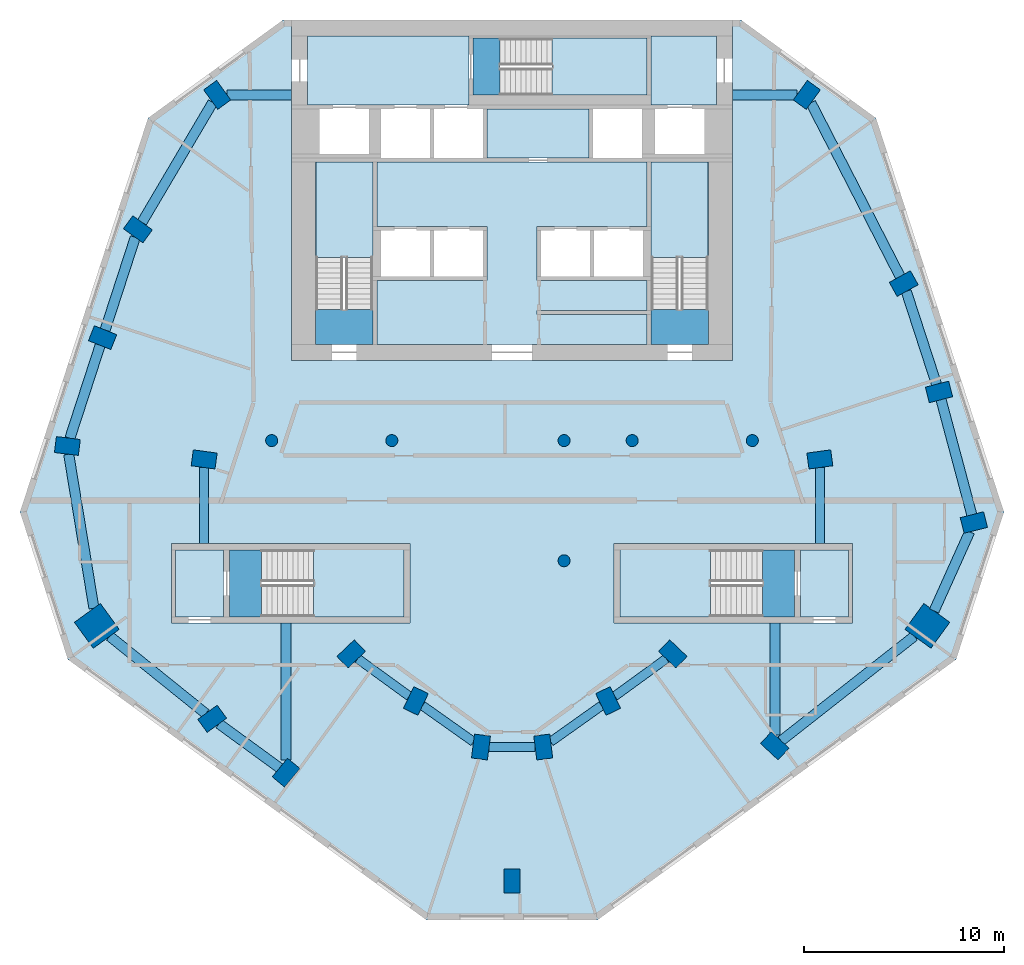
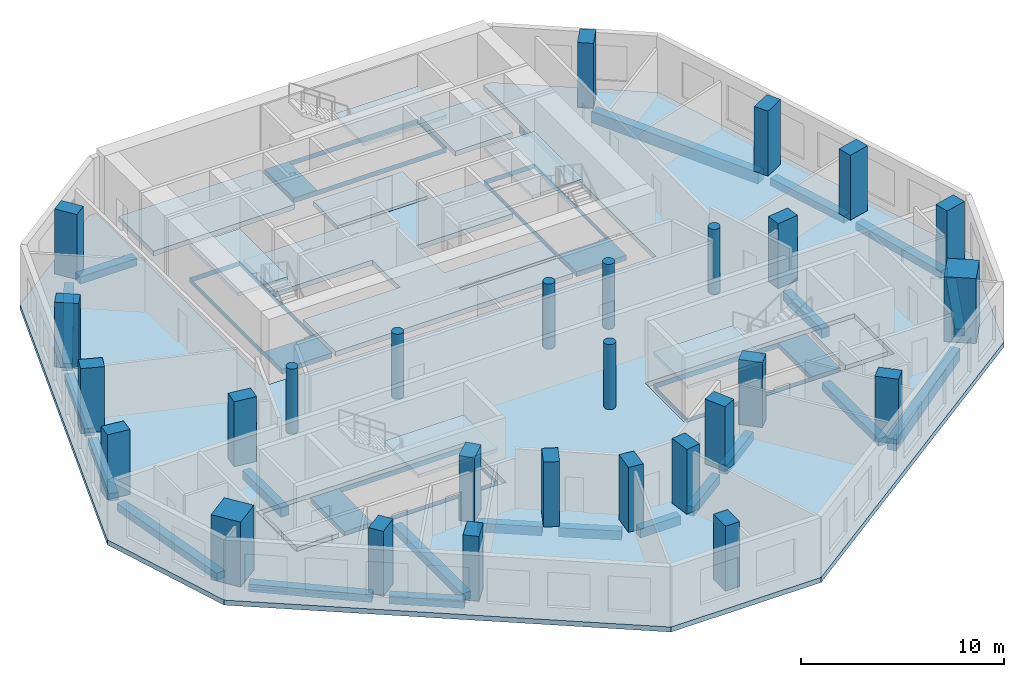
# One storey, part 1 of 9: 28 columns, 22 beams, 17 slabs, 5 elements without a shape of their own.
"""IFC4 building model written with IfcOpenShell, lengths in metres."""

from ifc_helpers import new_model, si_unit, direction, frame, origin, origin_2d, place, context, subcontext, project, spatial, polyline, rectangle, circle, outline, extrude, material, layer, layer_set, material_profile, profile_set, type_object, element, aggregate, save


model = new_model("IFC4")

# Units and contexts
model_context = context("Model", 3, precision=1e-05, world=origin(), true_north=direction((0.0, 1.0)))
body_context = subcontext(model_context, "Body", "Model", "MODEL_VIEW")
ifc_project = project(units=[si_unit("LENGTHUNIT", "METRE"), si_unit("AREAUNIT", "SQUARE_METRE"), si_unit("VOLUMEUNIT", "CUBIC_METRE"), si_unit("PLANEANGLEUNIT", "RADIAN"), si_unit("MASSUNIT", "GRAM", prefix="KILO")], contexts=[model_context])

# Site, building, storey
site_placement = place(None, origin())
site = spatial("IfcSite", under=ifc_project, at=site_placement, CompositionType="ELEMENT")
building_placement = place(site_placement, origin())
building = spatial("IfcBuilding", under=site, at=building_placement, Name="White Candle Pilgrim Tower", CompositionType="ELEMENT")
storey_placement = place(building_placement, frame((0.0, 0.0, 223.800048828125)))
storey = spatial("IfcBuildingStorey", under=building, at=storey_placement, Name="L52", CompositionType="ELEMENT", Elevation=223.800048828125)

# Columns
ifc_material_1 = material(Name="Concrete C70/85", Category="concrete")
ifc_material_profile_1 = material_profile(ifc_material_1, circle(Radius=0.300048828125, at=origin_2d()), Name="RC-COL D600")
ifc_profile_set_1 = profile_set([ifc_material_profile_1], Name="Concrete C70/85")
column_type_1 = type_object("IfcColumnType", Name="Interior column RC-COL D600 C70/85", PredefinedType="COLUMN", material=ifc_profile_set_1)
for number, where, z_axis, x_axis, name in (
    (1, (58.0, 67.0, 0.0), (0.0, 0.0, 1.0), (1.0, 0.0, 0.0), "L52 column I01"),
    (2, (64.0, 67.0, 0.0), (0.0, 0.0, 1.0), (1.0, 0.0, 0.0), "L52 column I02"),
    (3, (72.60009765625, 61.0, 0.0), (0.0, 0.0, 1.0), (1.0, 0.0, 0.0), "L52 column I03"),
    (4, (72.60009765625, 67.0, 0.0), (0.0, 0.0, 1.0), (1.0, 0.0, 0.0), "L52 column I04"),
    (5, (76.0, 67.0, 0.0), (0.0, 0.0, 1.0), (1.0, 0.0, 0.0), "L52 column I05"),
    (6, (82.0, 67.0, 0.0), (0.0, 0.0, 1.0), (1.0, 0.0, 0.0), "L52 column I06"),
):
    element("IfcColumn", number, at=place(storey_placement, frame(where, z_axis=z_axis, x_axis=x_axis)), inside=storey, type_object=column_type_1, Name=name, PredefinedType="COLUMN", context=body_context, shape_type="SweptSolid", body=[
        extrude(circle(Radius=0.300048828125, at=origin_2d()), origin(), (0.0, 0.0, 1.0), 3.89990234375),
    ])
ifc_material_profile_2 = material_profile(ifc_material_1, rectangle(XDim=1.60009765625, YDim=1.60009765625, at=origin_2d()), Name="RC 1600x1600")
ifc_profile_set_2 = profile_set([ifc_material_profile_2], Name="Concrete C70/85")
column_type_2 = type_object("IfcColumnType", Name="Mega column RC 1600x1600 C70/85", PredefinedType="COLUMN", material=ifc_profile_set_2)
for number, where, z_axis, x_axis, name in (
    (7, (49.27001953125, 57.75, 0.0), (0.0, 0.0, 1.0), (-0.809016994375, -0.587785252292, 0.0), "L52 mega column T01"),
    (8, (90.739990234375, 57.75, 0.0), (0.0, 0.0, 1.0), (0.809016994375, -0.587785252292, 0.0), "L52 mega column T06"),
):
    element("IfcColumn", number, at=place(storey_placement, frame(where, z_axis=z_axis, x_axis=x_axis)), inside=storey, type_object=column_type_2, Name=name, PredefinedType="COLUMN", context=body_context, shape_type="SweptSolid", body=[
        extrude(rectangle(XDim=1.60009765625, YDim=1.60009765625, at=origin_2d()), origin(), (0.0, 0.0, 1.0), 3.89990234375),
    ])
ifc_material_profile_3 = material_profile(ifc_material_1, rectangle(XDim=0.800048828125, YDim=1.199951171875, at=origin_2d()), Name="RC-PR 800x1200")
ifc_profile_set_3 = profile_set([ifc_material_profile_3], Name="Concrete C70/85")
column_type_3 = type_object("IfcColumnType", Name="Perimeter column RC-PR 800x1200 C70/85", PredefinedType="COLUMN", material=ifc_profile_set_3)
for number, where, z_axis, x_axis, name in (
    (9, (55.030029296875, 53.110107421875, 0.0), (0.0, 0.0, 1.0), (-0.58846280644, 0.808524288711, 0.0), "L52 column T02"),
    (10, (58.719970703125, 50.419921875, 0.0), (0.0, 0.0, 1.0), (-0.769310358735, 0.638875239733, 0.0), "L52 column T03"),
    (11, (70.0, 45.0, 0.0), (0.0, 0.0, 1.0), (-1.0, 0.0, 0.0), "L52 column T04"),
    (12, (83.1201171875, 51.760009765625, 0.0), (0.0, 0.0, 1.0), (-0.681998360062, -0.731353701619, 0.0), "L52 column T05"),
    (13, (93.06005859375, 62.909912109375, 0.0), (0.0, 0.0, 1.0), (0.246880623275, -0.969045900797, 0.0), "L52 column T07"),
    (14, (91.320068359375, 69.429931640625, 0.0), (0.0, 0.0, 1.0), (0.246880623275, -0.969045900797, 0.0), "L52 column T08"),
    (15, (89.56005859375, 74.840087890625, 0.0), (0.0, 0.0, 1.0), (0.484809620246, -0.874619707139, 0.0), "L52 column T09"),
    (16, (84.719970703125, 84.260009765625, 0.0), (0.0, 0.0, 1.0), (0.80902725304, -0.587771132193, 0.0), "L52 column T10"),
    (17, (55.280029296875, 84.260009765625, 0.0), (0.0, 0.0, 1.0), (0.80902725304, 0.587771132193, 0.0), "L52 column T11"),
    (18, (51.320068359375, 77.550048828125, 0.0), (0.0, 0.0, 1.0), (0.587107285614, 0.809509132239, 0.0), "L52 column T12"),
    (19, (49.56005859375, 72.139892578125, 0.0), (0.0, 0.0, 1.0), (0.369860269472, 0.929087391512, 0.0), "L52 column T13"),
    (20, (47.800048828125, 66.72998046875, 0.0), (0.0, 0.0, 1.0), (0.121869343405, 0.992546151641, 0.0), "L52 column T14"),
):
    element("IfcColumn", number, at=place(storey_placement, frame(where, z_axis=z_axis, x_axis=x_axis)), inside=storey, type_object=column_type_3, Name=name, PredefinedType="COLUMN", context=body_context, shape_type="SweptSolid", body=[
        extrude(rectangle(XDim=0.800048828125, YDim=1.199951171875, at=origin_2d()), origin(), (0.0, 0.0, 1.0), 3.89990234375),
    ])
ifc_material_profile_4 = material_profile(ifc_material_1, rectangle(XDim=0.800048828125, YDim=1.199951171875, at=origin_2d()), Name="RC-PR 800x1200")
ifc_profile_set_4 = profile_set([ifc_material_profile_4], Name="Concrete C70/85")
column_type_4 = type_object("IfcColumnType", Name="Ring column RC-PR 800x1200 C70/85", PredefinedType="COLUMN", material=ifc_profile_set_4)
for number, where, z_axis, x_axis, name in (
    (21, (61.969970703125, 56.35009765625, 0.0), (0.0, 0.0, 1.0), (-0.689872285383, 0.723931094691, 0.0), "L52 column R01"),
    (22, (65.199951171875, 54.0, 0.0), (0.0, 0.0, 1.0), (-0.901689191761, 0.43238478403, 0.0), "L52 column R02"),
    (23, (68.449951171875, 51.699951171875, 0.0), (0.0, 0.0, 1.0), (-0.992092811428, 0.125506388335, 0.0), "L52 column R03"),
    (24, (71.56005859375, 51.699951171875, 0.0), (0.0, 0.0, 1.0), (-0.992092811428, -0.125506388335, 0.0), "L52 column R04"),
    (25, (74.800048828125, 54.0, 0.0), (0.0, 0.0, 1.0), (-0.901689191761, -0.43238478403, 0.0), "L52 column R05"),
    (26, (78.030029296875, 56.35009765625, 0.0), (0.0, 0.0, 1.0), (-0.689872285383, -0.723931094691, 0.0), "L52 column R06"),
    (27, (85.3701171875, 66.06005859375, 0.0), (0.0, 0.0, 1.0), (0.132602381688, -0.991169313675, 0.0), "L52 column R07"),
    (28, (54.6298828125, 66.06005859375, 0.0), (0.0, 0.0, 1.0), (0.132602381688, 0.991169313675, 0.0), "L52 column R08"),
):
    element("IfcColumn", number, at=place(storey_placement, frame(where, z_axis=z_axis, x_axis=x_axis)), inside=storey, type_object=column_type_4, Name=name, PredefinedType="COLUMN", context=body_context, shape_type="SweptSolid", body=[
        extrude(rectangle(XDim=0.800048828125, YDim=1.199951171875, at=origin_2d()), origin(), (0.0, 0.0, 1.0), 3.89990234375),
    ])

# Beams
ifc_material_2 = material(Name="Concrete C50/60", Category="concrete")
ifc_material_profile_5 = material_profile(ifc_material_2, rectangle(XDim=0.449951171875, YDim=0.550048828125, at=origin_2d()), Name="RC-BM 450x550")
ifc_profile_set_5 = profile_set([ifc_material_profile_5], Name="Concrete C50/60")
beam_type_1 = type_object("IfcBeamType", Name="Ring beam RC-BM 450x550 C50/60", PredefinedType="BEAM", material=ifc_profile_set_5)
beam_1_placement = place(storey_placement, frame((62.298828125, 56.11083984375, -0.574951171875), z_axis=(0.808609951168, -0.588345091653, 0.0), x_axis=(0.588345091653, 0.808609951168, 0.0)))
element("IfcBeam", 29, at=beam_1_placement, inside=storey, type_object=beam_type_1, Name="L52 ring beam R01", PredefinedType="BEAM", context=body_context, shape_type="SweptSolid", body=[
    extrude(rectangle(XDim=0.449951171875, YDim=0.550048828125, at=origin_2d()), origin(), (0.0, 0.0, 1.0), 3.18115234375),
])
beam_2_placement = place(storey_placement, frame((65.53125, 53.765625, -0.574951171875), z_axis=(0.816256463166, -0.577689697277, 0.0), x_axis=(0.577689697277, 0.816256463166, 0.0)))
element("IfcBeam", 30, at=beam_2_placement, inside=storey, type_object=beam_type_1, Name="L52 ring beam R02", PredefinedType="BEAM", context=body_context, shape_type="SweptSolid", body=[
    extrude(rectangle(XDim=0.449951171875, YDim=0.550048828125, at=origin_2d()), origin(), (0.0, 0.0, 1.0), 3.122314453125),
])
beam_3_placement = place(storey_placement, frame((68.853271484375, 51.699951171875, -0.574951171875), z_axis=(1.0, 0.0, 0.0), x_axis=(0.0, 1.0, 0.0)))
element("IfcBeam", 31, at=beam_3_placement, inside=storey, type_object=beam_type_1, Name="L52 ring beam R03", PredefinedType="BEAM", context=body_context, shape_type="SweptSolid", body=[
    extrude(rectangle(XDim=0.449951171875, YDim=0.550048828125, at=origin_2d()), origin(), (0.0, 0.0, 1.0), 2.303466796875),
])
beam_4_placement = place(storey_placement, frame((71.929931640625, 51.962646484375, -0.574951171875), z_axis=(0.815419993855, 0.578869789868, 0.0), x_axis=(-0.578869789868, 0.815419993855, 0.0)))
element("IfcBeam", 32, at=beam_4_placement, inside=storey, type_object=beam_type_1, Name="L52 ring beam R04", PredefinedType="BEAM", context=body_context, shape_type="SweptSolid", body=[
    extrude(rectangle(XDim=0.449951171875, YDim=0.550048828125, at=origin_2d()), origin(), (0.0, 0.0, 1.0), 3.11376953125),
])
beam_5_placement = place(storey_placement, frame((75.12890625, 54.2392578125, -0.574951171875), z_axis=(0.808609951168, 0.588345091653, 0.0), x_axis=(-0.588345091653, 0.808609951168, 0.0)))
element("IfcBeam", 33, at=beam_5_placement, inside=storey, type_object=beam_type_1, Name="L52 ring beam R05", PredefinedType="BEAM", context=body_context, shape_type="SweptSolid", body=[
    extrude(rectangle(XDim=0.449951171875, YDim=0.550048828125, at=origin_2d()), origin(), (0.0, 0.0, 1.0), 3.18115234375),
])
for number, where, z_axis, x_axis, name in (
    (34, (85.3701171875, 65.656494140625, -0.574951171875), (0.0, -1.0, 0.0), (1.0, 0.0, 0.0), "L52 ring beam R06"),
    (35, (54.6298828125, 65.656494140625, -0.574951171875), (0.0, -1.0, 0.0), (1.0, 0.0, 0.0), "L52 ring beam R07"),
):
    element("IfcBeam", number, at=place(storey_placement, frame(where, z_axis=z_axis, x_axis=x_axis)), inside=storey, type_object=beam_type_1, Name=name, PredefinedType="BEAM", context=body_context, shape_type="SweptSolid", body=[
        extrude(rectangle(XDim=0.449951171875, YDim=0.550048828125, at=origin_2d()), origin(), (0.0, 0.0, 1.0), 3.806396484375),
    ])
ifc_material_profile_6 = material_profile(ifc_material_2, rectangle(XDim=0.5, YDim=0.449951171875, at=origin_2d()), Name="RC-BM 500x450")
ifc_profile_set_6 = profile_set([ifc_material_profile_6], Name="Concrete C50/60")
beam_type_2 = type_object("IfcBeamType", Name="Spandrel beam RC-BM 500x450 C50/60", PredefinedType="BEAM", material=ifc_profile_set_6)
beam_6_placement = place(storey_placement, frame((49.915283203125, 57.22998046875, -0.525146484375), z_axis=(0.778778136726, -0.62729946099, 0.0), x_axis=(0.62729946099, 0.778778136726, 0.0)))
element("IfcBeam", 36, at=beam_6_placement, inside=storey, type_object=beam_type_2, Name="L52 spandrel beam T01", PredefinedType="BEAM", context=body_context, shape_type="SweptSolid", body=[
    extrude(rectangle(XDim=0.5, YDim=0.449951171875, at=origin_2d()), origin(), (0.0, 0.0, 1.0), 6.153564453125),
])
beam_7_placement = place(storey_placement, frame((55.36962890625, 52.8623046875, -0.525146484375), z_axis=(0.808061834145, -0.58909767628, 0.0), x_axis=(0.58909767628, 0.808061834145, 0.0)))
element("IfcBeam", 37, at=beam_7_placement, inside=storey, type_object=beam_type_2, Name="L52 spandrel beam T02", PredefinedType="BEAM", context=body_context, shape_type="SweptSolid", body=[
    extrude(rectangle(XDim=0.5, YDim=0.449951171875, at=origin_2d()), origin(), (0.0, 0.0, 1.0), 3.7451171875),
])
beam_8_placement = place(storey_placement, frame((58.719970703125, 51.046142578125, -0.525146484375), z_axis=(0.0, 1.0, 0.0), x_axis=(-1.0, 0.0, 0.0)))
element("IfcBeam", 38, at=beam_8_placement, inside=storey, type_object=beam_type_2, Name="L52 spandrel beam T03", PredefinedType="BEAM", context=body_context, shape_type="SweptSolid", body=[
    extrude(rectangle(XDim=0.5, YDim=0.449951171875, at=origin_2d()), origin(), (0.0, 0.0, 1.0), 6.853759765625),
])
beam_9_placement = place(storey_placement, frame((83.1201171875, 52.306884765625, -0.525146484375), z_axis=(0.0, 1.0, 0.0), x_axis=(-1.0, 0.0, 0.0)))
element("IfcBeam", 39, at=beam_9_placement, inside=storey, type_object=beam_type_2, Name="L52 spandrel beam T04", PredefinedType="BEAM", context=body_context, shape_type="SweptSolid", body=[
    extrude(rectangle(XDim=0.5, YDim=0.449951171875, at=origin_2d()), origin(), (0.0, 0.0, 1.0), 5.593017578125),
])
beam_10_placement = place(storey_placement, frame((91.0751953125, 58.495361328125, -0.525146484375), z_axis=(0.410043403319, 0.912066010437, 0.0), x_axis=(-0.912066010437, 0.410043403319, 0.0)))
element("IfcBeam", 40, at=beam_10_placement, inside=storey, type_object=beam_type_2, Name="L52 spandrel beam T06", PredefinedType="BEAM", context=body_context, shape_type="SweptSolid", body=[
    extrude(rectangle(XDim=0.5, YDim=0.449951171875, at=origin_2d()), origin(), (0.0, 0.0, 1.0), 4.3291015625),
])
beam_11_placement = place(storey_placement, frame((92.956787109375, 63.29638671875, -0.525146484375), z_axis=(-0.257841470678, 0.966187236512, 0.0), x_axis=(-0.966187236512, -0.257841470678, 0.0)))
element("IfcBeam", 41, at=beam_11_placement, inside=storey, type_object=beam_type_2, Name="L52 spandrel beam T07", PredefinedType="BEAM", context=body_context, shape_type="SweptSolid", body=[
    extrude(rectangle(XDim=0.5, YDim=0.449951171875, at=origin_2d()), origin(), (0.0, 0.0, 1.0), 5.9482421875),
])
beam_12_placement = place(storey_placement, frame((91.196044921875, 69.811279296875, -0.525146484375), z_axis=(-0.309391453236, 0.950934765725, 0.0), x_axis=(-0.950934765725, -0.309391453236, 0.0)))
element("IfcBeam", 42, at=beam_12_placement, inside=storey, type_object=beam_type_2, Name="L52 spandrel beam T08", PredefinedType="BEAM", context=body_context, shape_type="SweptSolid", body=[
    extrude(rectangle(XDim=0.5, YDim=0.449951171875, at=origin_2d()), origin(), (0.0, 0.0, 1.0), 4.880615234375),
])
for number, where, z_axis, x_axis, name in (
    (43, (84.2255859375, 84.260009765625, -0.525146484375), (-1.0, 0.0, 0.0), (0.0, -1.0, 0.0), "L52 spandrel beam T10"),
    (44, (55.7744140625, 84.260009765625, -0.525146484375), (1.0, 0.0, 0.0), (0.0, 1.0, 0.0), "L52 spandrel beam T11"),
):
    element("IfcBeam", number, at=place(storey_placement, frame(where, z_axis=z_axis, x_axis=x_axis)), inside=storey, type_object=beam_type_2, Name=name, PredefinedType="BEAM", context=body_context, shape_type="SweptSolid", body=[
        extrude(rectangle(XDim=0.5, YDim=0.449951171875, at=origin_2d()), origin(), (0.0, 0.0, 1.0), 3.2255859375),
    ])
beam_13_placement = place(storey_placement, frame((55.058349609375, 83.884521484375, -0.525146484375), z_axis=(-0.508250169427, -0.861209478163, 0.0), x_axis=(0.861209478163, -0.508250169427, 0.0)))
element("IfcBeam", 45, at=beam_13_placement, inside=storey, type_object=beam_type_2, Name="L52 spandrel beam T12", PredefinedType="BEAM", context=body_context, shape_type="SweptSolid", body=[
    extrude(rectangle(XDim=0.5, YDim=0.449951171875, at=origin_2d()), origin(), (0.0, 0.0, 1.0), 6.95361328125),
])
beam_14_placement = place(storey_placement, frame((51.18994140625, 77.150146484375, -0.525146484375), z_axis=(-0.30935824251, -0.950945570362, 0.0), x_axis=(0.950945570362, -0.30935824251, 0.0)))
element("IfcBeam", 46, at=beam_14_placement, inside=storey, type_object=beam_type_2, Name="L52 spandrel beam T13", PredefinedType="BEAM", context=body_context, shape_type="SweptSolid", body=[
    extrude(rectangle(XDim=0.5, YDim=0.449951171875, at=origin_2d()), origin(), (0.0, 0.0, 1.0), 4.86767578125),
])
beam_15_placement = place(storey_placement, frame((49.43603515625, 71.7587890625, -0.525146484375), z_axis=(-0.309376736615, -0.950939553726, 0.0), x_axis=(0.950939553726, -0.309376736615, 0.0)))
element("IfcBeam", 47, at=beam_15_placement, inside=storey, type_object=beam_type_2, Name="L52 spandrel beam T14", PredefinedType="BEAM", context=body_context, shape_type="SweptSolid", body=[
    extrude(rectangle(XDim=0.5, YDim=0.449951171875, at=origin_2d()), origin(), (0.0, 0.0, 1.0), 4.880859375),
])
beam_16_placement = place(storey_placement, frame((47.8671875, 66.318603515625, -0.525146484375), z_axis=(0.161556298314, -0.986863497387, 0.0), x_axis=(0.986863497387, 0.161556298314, 0.0)))
element("IfcBeam", 48, at=beam_16_placement, inside=storey, type_object=beam_type_2, Name="L52 spandrel beam T15", PredefinedType="BEAM", context=body_context, shape_type="SweptSolid", body=[
    extrude(rectangle(XDim=0.5, YDim=0.449951171875, at=origin_2d()), origin(), (0.0, 0.0, 1.0), 7.787109375),
])
ifc_material_profile_7 = material_profile(ifc_material_2, rectangle(XDim=0.5, YDim=0.699951171875, at=origin_2d()), Name="RC-BM 500x700")
ifc_profile_set_7 = profile_set([ifc_material_profile_7], Name="Concrete C50/60")
beam_type_3 = type_object("IfcBeamType", Name="Spandrel beam RC-BM 500x700 C50/60", PredefinedType="BEAM", material=ifc_profile_set_7)
beam_17_placement = place(storey_placement, frame((83.438232421875, 52.01025390625, -0.650146484375), z_axis=(0.786178058268, 0.618000049109, 0.0), x_axis=(-0.618000049109, 0.786178058268, 0.0)))
element("IfcBeam", 49, at=beam_17_placement, inside=storey, type_object=beam_type_3, Name="L52 spandrel beam T05", PredefinedType="BEAM", context=body_context, shape_type="SweptSolid", body=[
    extrude(rectangle(XDim=0.5, YDim=0.699951171875, at=origin_2d()), origin(), (0.0, 0.0, 1.0), 8.4560546875),
])
beam_18_placement = place(storey_placement, frame((89.377197265625, 75.196044921875, -0.650146484375), z_axis=(-0.457020130081, 0.889456351206, 0.0), x_axis=(-0.889456351206, -0.457020130081, 0.0)))
element("IfcBeam", 50, at=beam_18_placement, inside=storey, type_object=beam_type_3, Name="L52 spandrel beam T09", PredefinedType="BEAM", context=body_context, shape_type="SweptSolid", body=[
    extrude(rectangle(XDim=0.5, YDim=0.699951171875, at=origin_2d()), origin(), (0.0, 0.0, 1.0), 9.7421875),
])

# Slabs
ifc_material_3 = material(Name="Concrete C40/50", Category="concrete")
ifc_layer_1 = layer(ifc_material_3, 0.300048828125)
ifc_layer_set_1 = layer_set([ifc_layer_1], Name="Core floor slab 300 mm Concrete C40/50")
slab_type_1 = type_object("IfcSlabType", Name="Core floor slab 300 mm Concrete C40/50", PredefinedType="FLOOR", material=ifc_layer_set_1)
slab_1_placement = place(storey_placement, frame((0.0, 0.0, -0.300048828125)))
element("IfcSlab", 51, at=slab_1_placement, inside=storey, type_object=slab_type_1, Name="CF-L52-01", PredefinedType="FLOOR", context=body_context, shape_type="SweptSolid", body=[
    extrude(outline(polyline([(55.60009765625, 58.199951171875), (53.199951171875, 58.199951171875), (53.199951171875, 61.550048828125), (55.60009765625, 61.550048828125), (55.60009765625, 58.199951171875)])), origin(), (0.0, 0.0, 1.0), 0.300048828125),
])
slab_2_placement = place(storey_placement, frame((0.0, 0.0, -0.300048828125)))
element("IfcSlab", 52, at=slab_2_placement, inside=storey, type_object=slab_type_1, Name="CF-L52-02", PredefinedType="FLOOR", context=body_context, shape_type="SweptSolid", body=[
    extrude(outline(polyline([(55.89990234375, 58.199951171875), (55.89990234375, 61.550048828125), (64.60009765625, 61.550048828125), (64.60009765625, 58.199951171875), (55.89990234375, 58.199951171875)]), holes=[polyline([(57.501953125, 61.548095703125), (57.501953125, 58.201904296875), (64.597900390625, 58.201904296875), (64.597900390625, 61.548095703125), (57.501953125, 61.548095703125)])]), origin(), (0.0, 0.0, 1.0), 0.300048828125),
])
slab_3_placement = place(storey_placement, frame((0.0, 0.0, -0.300048828125)))
element("IfcSlab", 53, at=slab_3_placement, inside=storey, type_object=slab_type_1, Name="CF-L52-03", PredefinedType="FLOOR", context=body_context, shape_type="SweptSolid", body=[
    extrude(outline(polyline([(75.39990234375, 58.199951171875), (75.39990234375, 61.550048828125), (84.10009765625, 61.550048828125), (84.10009765625, 58.199951171875), (75.39990234375, 58.199951171875)]), holes=[polyline([(82.498046875, 58.201904296875), (82.498046875, 61.548095703125), (75.402099609375, 61.548095703125), (75.402099609375, 58.201904296875), (82.498046875, 58.201904296875)])]), origin(), (0.0, 0.0, 1.0), 0.300048828125),
])
slab_4_placement = place(storey_placement, frame((0.0, 0.0, -0.300048828125)))
element("IfcSlab", 54, at=slab_4_placement, inside=storey, type_object=slab_type_1, Name="CF-L52-04", PredefinedType="FLOOR", context=body_context, shape_type="SweptSolid", body=[
    extrude(outline(polyline([(86.800048828125, 58.199951171875), (84.39990234375, 58.199951171875), (84.39990234375, 61.550048828125), (86.800048828125, 61.550048828125), (86.800048828125, 58.199951171875)])), origin(), (0.0, 0.0, 1.0), 0.300048828125),
])
slab_5_placement = place(storey_placement, frame((0.0, 0.0, -0.300048828125)))
element("IfcSlab", 55, at=slab_5_placement, inside=storey, type_object=slab_type_1, Name="CF-L52-05", PredefinedType="FLOOR", context=body_context, shape_type="SweptSolid", body=[
    extrude(outline(polyline([(76.949951171875, 71.800048828125), (76.949951171875, 73.300048828125), (76.949951171875, 73.5), (76.949951171875, 75.0), (76.949951171875, 75.199951171875), (76.949951171875, 77.5), (76.949951171875, 77.699951171875), (76.949951171875, 80.89990234375), (79.800048828125, 80.89990234375), (79.800048828125, 71.800048828125), (76.949951171875, 71.800048828125)]), holes=[polyline([(76.951904296875, 73.552001953125), (79.798095703125, 73.552001953125), (79.798095703125, 80.89794921875), (76.951904296875, 80.89794921875), (76.951904296875, 73.552001953125)])]), origin(), (0.0, 0.0, 1.0), 0.300048828125),
])
slab_6_placement = place(storey_placement, frame((0.0, 0.0, -0.300048828125)))
element("IfcSlab", 56, at=slab_6_placement, inside=storey, type_object=slab_type_1, Name="CF-L52-06", PredefinedType="FLOOR", context=body_context, shape_type="SweptSolid", body=[
    extrude(outline(polyline([(63.25, 71.800048828125), (63.25, 75.0), (68.75, 75.0), (68.75, 75.199951171875), (68.75, 77.5), (68.75, 77.699951171875), (63.25, 77.699951171875), (63.25, 80.89990234375), (76.75, 80.89990234375), (76.75, 77.699951171875), (71.25, 77.699951171875), (71.25, 77.5), (71.25, 75.199951171875), (71.25, 75.0), (76.75, 75.0), (76.75, 73.5), (71.25, 73.5), (71.25, 73.300048828125), (76.75, 73.300048828125), (76.75, 71.800048828125), (63.25, 71.800048828125)])), origin(), (0.0, 0.0, 1.0), 0.300048828125),
])
slab_7_placement = place(storey_placement, frame((0.0, 0.0, -0.300048828125)))
element("IfcSlab", 57, at=slab_7_placement, inside=storey, type_object=slab_type_1, Name="CF-L52-07", PredefinedType="FLOOR", context=body_context, shape_type="SweptSolid", body=[
    extrude(outline(polyline([(60.199951171875, 71.800048828125), (60.199951171875, 80.89990234375), (63.050048828125, 80.89990234375), (63.050048828125, 77.699951171875), (63.050048828125, 77.5), (63.050048828125, 75.199951171875), (63.050048828125, 75.0), (63.050048828125, 71.800048828125), (60.199951171875, 71.800048828125)]), holes=[polyline([(60.201904296875, 73.552001953125), (63.048095703125, 73.552001953125), (63.048095703125, 80.89794921875), (60.201904296875, 80.89794921875), (60.201904296875, 73.552001953125)])]), origin(), (0.0, 0.0, 1.0), 0.300048828125),
])
slab_8_placement = place(storey_placement, frame((0.0, 0.0, -0.300048828125)))
element("IfcSlab", 58, at=slab_8_placement, inside=storey, type_object=slab_type_1, Name="CF-L52-08", PredefinedType="FLOOR", context=body_context, shape_type="SweptSolid", body=[
    extrude(outline(polyline([(59.800048828125, 87.199951171875), (67.85009765625, 87.199951171875), (67.85009765625, 87.10009765625), (67.85009765625, 84.25), (67.85009765625, 83.75), (59.800048828125, 83.75), (59.800048828125, 87.199951171875)])), origin(), (0.0, 0.0, 1.0), 0.300048828125),
])
slab_9_placement = place(storey_placement, frame((0.0, 0.0, -0.300048828125)))
element("IfcSlab", 59, at=slab_9_placement, inside=storey, type_object=slab_type_1, Name="CF-L52-09", PredefinedType="FLOOR", context=body_context, shape_type="SweptSolid", body=[
    extrude(outline(polyline([(80.199951171875, 87.199951171875), (80.199951171875, 83.75), (76.949951171875, 83.75), (76.949951171875, 84.25), (76.949951171875, 87.10009765625), (76.949951171875, 87.199951171875), (80.199951171875, 87.199951171875)])), origin(), (0.0, 0.0, 1.0), 0.300048828125),
])
slab_10_placement = place(storey_placement, frame((0.0, 0.0, -0.300048828125)))
element("IfcSlab", 60, at=slab_10_placement, inside=storey, type_object=slab_type_1, Name="CF-L52-10", PredefinedType="FLOOR", context=body_context, shape_type="SweptSolid", body=[
    extrude(outline(polyline([(68.050048828125, 87.10009765625), (76.75, 87.10009765625), (76.75, 84.25), (68.050048828125, 84.25), (68.050048828125, 87.10009765625)]), holes=[polyline([(69.402099609375, 87.097900390625), (69.402099609375, 84.251953125), (76.748046875, 84.251953125), (76.748046875, 87.097900390625), (69.402099609375, 87.097900390625)])]), origin(), (0.0, 0.0, 1.0), 0.300048828125),
])
slab_11_placement = place(storey_placement, frame((0.0, 0.0, -0.300048828125)))
element("IfcSlab", 61, at=slab_11_placement, inside=storey, type_object=slab_type_1, Name="CF-L52-11", PredefinedType="FLOOR", context=body_context, shape_type="SweptSolid", body=[
    extrude(outline(polyline([(68.75, 83.550048828125), (73.85009765625, 83.550048828125), (73.85009765625, 81.10009765625), (68.75, 81.10009765625), (68.75, 83.550048828125)])), origin(), (0.0, 0.0, 1.0), 0.300048828125),
])
ifc_layer_2 = layer(ifc_material_3, 0.300048828125)
ifc_layer_set_2 = layer_set([ifc_layer_2], Name="Floor slab 300 REI 120")
slab_type_2 = type_object("IfcSlabType", Name="Floor slab 300 REI 120", PredefinedType="FLOOR", material=ifc_layer_set_2)
slab_12_placement = place(storey_placement, frame((0.0, 0.0, -0.300048828125)))
element("IfcSlab", 62, at=slab_12_placement, inside=storey, type_object=slab_type_2, Name="L52 floor slab", PredefinedType="FLOOR", context=body_context, shape_type="SweptSolid", body=[
    extrude(outline(polyline([(65.729736328125, 43.06201171875), (74.270263671875, 43.06201171875), (92.1728515625, 56.06884765625), (94.565185546875, 63.431884765625), (88.172607421875, 83.106201171875), (81.43701171875, 88.0), (81.0, 88.0), (81.0, 71.0), (59.0, 71.0), (59.0, 88.0), (58.56298828125, 88.0), (51.827392578125, 83.106201171875), (45.434814453125, 63.431884765625), (47.8271484375, 56.06884765625), (65.729736328125, 43.06201171875)]), holes=[polyline([(53.0, 57.89990234375), (53.0, 61.85009765625), (64.89990234375, 61.85009765625), (64.89990234375, 57.89990234375), (53.0, 57.89990234375)]), polyline([(75.10009765625, 57.89990234375), (75.10009765625, 61.85009765625), (87.0, 61.85009765625), (87.0, 57.89990234375), (75.10009765625, 57.89990234375)])]), origin(), (0.0, 0.0, 1.0), 0.300048828125),
])

# Stair, slab
stair_type_1 = type_object("IfcStairType", Name="Exit stair 1 flight width 1350 mm", PredefinedType="HALF_TURN_STAIR", material=ifc_material_3)
stair_1_placement = place(storey_placement, origin())
stair_1 = element("IfcStair", 63, at=stair_1_placement, inside=storey, type_object=stair_type_1, Name="L52 stair 1", PredefinedType="NOTDEFINED")
ifc_layer_3 = layer(ifc_material_3, 0.199951171875)
ifc_layer_set_3 = layer_set([ifc_layer_3], Name="Stair landing Concrete C40/50")
slab_type_3 = type_object("IfcSlabType", Name="Stair landing Concrete C40/50", PredefinedType="LANDING", material=ifc_layer_set_3)
slab_13_placement = place(storey_placement, frame((0.0, 0.0, 1.75)))
slab_13 = element("IfcSlab", 64, at=slab_13_placement, type_object=slab_type_3, Name="ST1 landing 1", PredefinedType="LANDING", context=body_context, shape_type="SweptSolid", body=[
    extrude(outline(polyline([(63.052001953125, 76.14794921875), (60.197998046875, 76.14794921875), (60.197998046875, 80.902099609375), (63.052001953125, 80.902099609375), (63.052001953125, 76.14794921875)])), origin(), (0.0, 0.0, 1.0), 0.199951171875),
])
aggregate(stair_1, [slab_13])

stair_type_2 = type_object("IfcStairType", Name="Exit stair 2 flight width 1350 mm", PredefinedType="HALF_TURN_STAIR", material=ifc_material_3)
stair_2_placement = place(storey_placement, origin())
stair_2 = element("IfcStair", 65, at=stair_2_placement, inside=storey, type_object=stair_type_2, Name="L52 stair 2", PredefinedType="NOTDEFINED")
slab_14_placement = place(storey_placement, frame((0.0, 0.0, 1.75)))
slab_14 = element("IfcSlab", 66, at=slab_14_placement, type_object=slab_type_3, Name="ST2 landing 1", PredefinedType="LANDING", context=body_context, shape_type="SweptSolid", body=[
    extrude(outline(polyline([(79.802001953125, 76.14794921875), (76.947998046875, 76.14794921875), (76.947998046875, 80.902099609375), (79.802001953125, 80.902099609375), (79.802001953125, 76.14794921875)])), origin(), (0.0, 0.0, 1.0), 0.199951171875),
])
aggregate(stair_2, [slab_14])

stair_type_3 = type_object("IfcStairType", Name="Exit stair 3 flight width 1350 mm", PredefinedType="HALF_TURN_STAIR", material=ifc_material_3)
stair_3_placement = place(storey_placement, origin())
stair_3 = element("IfcStair", 67, at=stair_3_placement, inside=storey, type_object=stair_type_3, Name="L52 stair 3", PredefinedType="NOTDEFINED")
slab_15_placement = place(storey_placement, frame((0.0, 0.0, 1.75)))
slab_15 = element("IfcSlab", 68, at=slab_15_placement, type_object=slab_type_3, Name="ST3 landing 1", PredefinedType="LANDING", context=body_context, shape_type="SweptSolid", body=[
    extrude(outline(polyline([(71.998046875, 84.248046875), (71.998046875, 87.10205078125), (76.751953125, 87.10205078125), (76.751953125, 84.248046875), (71.998046875, 84.248046875)])), origin(), (0.0, 0.0, 1.0), 0.199951171875),
])
aggregate(stair_3, [slab_15])

stair_type_4 = type_object("IfcStairType", Name="Exit stair 4 flight width 1600 mm", PredefinedType="HALF_TURN_STAIR", material=ifc_material_3)
stair_4_placement = place(storey_placement, origin())
stair_4 = element("IfcStair", 69, at=stair_4_placement, inside=storey, type_object=stair_type_4, Name="L52 stair 4", PredefinedType="NOTDEFINED")
slab_16_placement = place(storey_placement, frame((0.0, 0.0, 1.75)))
slab_16 = element("IfcSlab", 70, at=slab_16_placement, type_object=slab_type_3, Name="ST4 landing 1", PredefinedType="LANDING", context=body_context, shape_type="SweptSolid", body=[
    extrude(outline(polyline([(79.902099609375, 61.552001953125), (79.902099609375, 58.197998046875), (75.39794921875, 58.197998046875), (75.39794921875, 61.552001953125), (79.902099609375, 61.552001953125)])), origin(), (0.0, 0.0, 1.0), 0.199951171875),
])
aggregate(stair_4, [slab_16])

stair_type_5 = type_object("IfcStairType", Name="Exit stair 5 flight width 1600 mm", PredefinedType="HALF_TURN_STAIR", material=ifc_material_3)
stair_5_placement = place(storey_placement, origin())
stair_5 = element("IfcStair", 71, at=stair_5_placement, inside=storey, type_object=stair_type_5, Name="L52 stair 5", PredefinedType="NOTDEFINED")
slab_17_placement = place(storey_placement, frame((0.0, 0.0, 1.75)))
slab_17 = element("IfcSlab", 72, at=slab_17_placement, type_object=slab_type_3, Name="ST5 landing 1", PredefinedType="LANDING", context=body_context, shape_type="SweptSolid", body=[
    extrude(outline(polyline([(60.097900390625, 58.197998046875), (60.097900390625, 61.552001953125), (64.60205078125, 61.552001953125), (64.60205078125, 58.197998046875), (60.097900390625, 58.197998046875)])), origin(), (0.0, 0.0, 1.0), 0.199951171875),
])
aggregate(stair_5, [slab_17])

save(model, "model.ifc")
